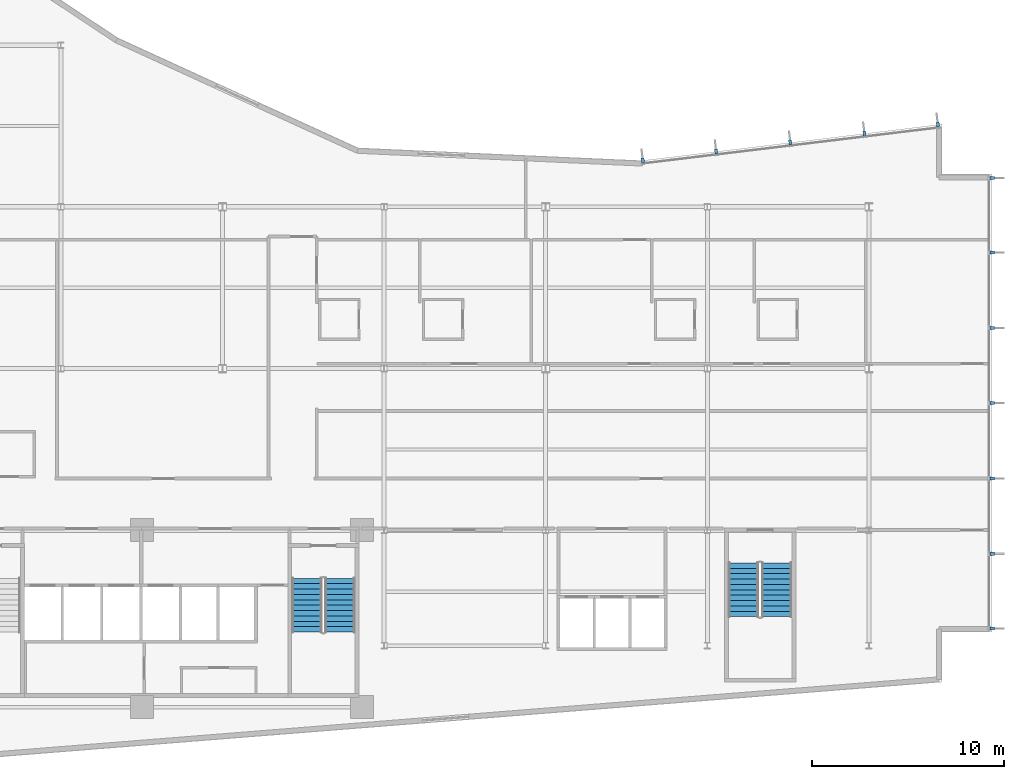
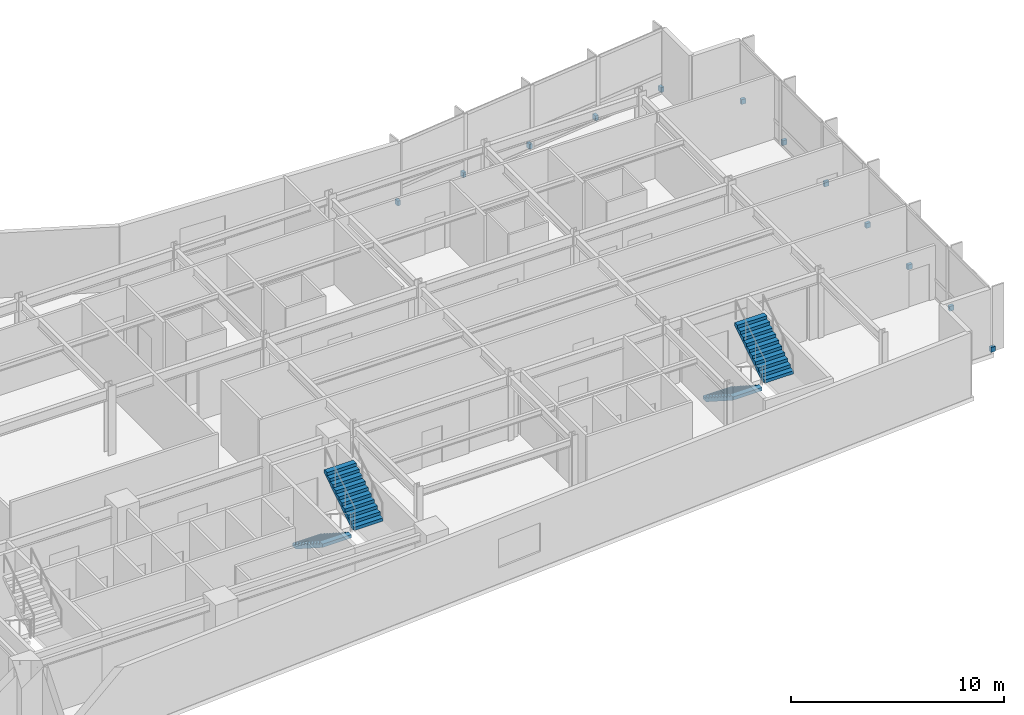
# One storey, part 13 of 17: 12 discrete accessories, 4 stair flights, 2 elements without a shape of their own.
"""IFC4 building model written with IfcOpenShell, lengths in metres."""

from ifc_helpers import new_model, si_unit, direction, frame, origin, origin_2d, place, context, subcontext, project, spatial, polyline, rectangle, outline, extrude, material, layer, layer_set, type_object, element, aggregate, save


model = new_model("IFC4")

# Units and contexts
model_context = context("Model", 3, precision=1e-05, world=origin(), true_north=direction((0.0, 1.0)))
body_context = subcontext(model_context, "Body", "Model", "MODEL_VIEW")
ifc_project = project(units=[si_unit("LENGTHUNIT", "METRE"), si_unit("AREAUNIT", "SQUARE_METRE"), si_unit("VOLUMEUNIT", "CUBIC_METRE"), si_unit("PLANEANGLEUNIT", "RADIAN"), si_unit("MASSUNIT", "GRAM", prefix="KILO")], contexts=[model_context])

# Site, building, storey
site_placement = place(None, origin())
site = spatial("IfcSite", under=ifc_project, at=site_placement, CompositionType="ELEMENT")
building_placement = place(site_placement, origin())
building = spatial("IfcBuilding", under=site, at=building_placement, Name="Varnakote Quay Hospital", CompositionType="ELEMENT")
storey_placement = place(building_placement, frame((0.0, 0.0, 146.800048828125)))
storey = spatial("IfcBuildingStorey", under=building, at=storey_placement, Name="L36", CompositionType="ELEMENT", Elevation=146.800048828125)

# Stair, stair flights
ifc_material_1 = material(Name="Concrete N40 (f'c 40 MPa)", Category="concrete")
stair_type = type_object("IfcStairType", Name="STR-CORE-1580", PredefinedType="HALF_TURN_STAIR", material=ifc_material_1)
stair_1_placement = place(storey_placement, origin())
stair_1 = element("IfcStair", 1, at=stair_1_placement, inside=storey, type_object=stair_type, Name="L36 Fire-Isolated Exit Stair ST-02", PredefinedType="HALF_TURN_STAIR")
ifc_material_2 = material(Name="Concrete N40 (f'c 40 MPa)", Category="concrete")
ifc_layer = layer(ifc_material_2, 0.159912109375)
ifc_layer_set = layer_set([ifc_layer], Name="Concrete N40 (f'c 40 MPa)")
stair_flight_type = type_object("IfcStairFlightType", Name="FLT-CORE-1580", PredefinedType="STRAIGHT", material=ifc_layer_set)
stair_flight_1_placement = place(storey_placement, frame((21.18994140625, 9.5, 0.0), z_axis=(0.0, 0.0, 1.0), x_axis=(0.0, -1.0, 0.0)))
stair_flight_1 = element("IfcStairFlight", 2, at=stair_flight_1_placement, type_object=stair_flight_type, Name="ST-02 flight 1", NumberOfRisers=11, NumberOfTreads=10, PredefinedType="STRAIGHT", RiserHeight=0.179545455, TreadLength=0.28, context=body_context, shape_type="SweptSolid", body=[
    extrude(outline(polyline([(0.0, 0.0), (0.0, 0.179443359375), (0.280029296875, 0.179443359375), (0.280029296875, 0.359130859375), (0.56005859375, 0.359130859375), (0.56005859375, 0.53857421875), (0.840087890625, 0.53857421875), (0.840087890625, 0.71826171875), (1.1201171875, 0.71826171875), (1.1201171875, 0.897705078125), (1.39990234375, 0.897705078125), (1.39990234375, 1.077392578125), (1.679931640625, 1.077392578125), (1.679931640625, 1.2568359375), (1.9599609375, 1.2568359375), (1.9599609375, 1.436279296875), (2.239990234375, 1.436279296875), (2.239990234375, 1.615966796875), (2.52001953125, 1.615966796875), (2.52001953125, 1.79541015625), (2.800048828125, 1.79541015625), (2.800048828125, 1.97509765625), (2.800048828125, 1.60546875), (0.296142578125, 0.0), (0.0, 0.0)])), frame((0.0, 0.7900390625, 0.0), z_axis=(0.0, -1.0, 0.0), x_axis=(1.0, 0.0, 0.0)), (0.0, 0.0, 1.0), 1.580078125),
])
stair_flight_2_placement = place(storey_placement, frame((22.909912109375, 6.699951171875, 1.974853515625), z_axis=(0.0, 0.0, 1.0), x_axis=(0.0, 1.0, 0.0)))
stair_flight_2 = element("IfcStairFlight", 3, at=stair_flight_2_placement, type_object=stair_flight_type, Name="ST-02 flight 2", NumberOfRisers=11, NumberOfTreads=10, PredefinedType="STRAIGHT", RiserHeight=0.179545455, TreadLength=0.28, context=body_context, shape_type="SweptSolid", body=[
    extrude(outline(polyline([(0.0, 0.0), (0.0, 0.179443359375), (0.280029296875, 0.179443359375), (0.280029296875, 0.359130859375), (0.56005859375, 0.359130859375), (0.56005859375, 0.53857421875), (0.840087890625, 0.53857421875), (0.840087890625, 0.71826171875), (1.1201171875, 0.71826171875), (1.1201171875, 0.897705078125), (1.39990234375, 0.897705078125), (1.39990234375, 1.077392578125), (1.679931640625, 1.077392578125), (1.679931640625, 1.2568359375), (1.9599609375, 1.2568359375), (1.9599609375, 1.436279296875), (2.239990234375, 1.436279296875), (2.239990234375, 1.615966796875), (2.52001953125, 1.615966796875), (2.52001953125, 1.79541015625), (2.800048828125, 1.79541015625), (2.800048828125, 1.97509765625), (2.800048828125, 1.60546875), (0.296142578125, 0.0), (0.0, 0.0)])), frame((0.0, 0.7900390625, 0.0), z_axis=(0.0, -1.0, 0.0), x_axis=(1.0, 0.0, 0.0)), (0.0, 0.0, 1.0), 1.580078125),
])
aggregate(stair_1, [stair_flight_1, stair_flight_2])

stair_2_placement = place(storey_placement, origin())
stair_2 = element("IfcStair", 4, at=stair_2_placement, inside=storey, type_object=stair_type, Name="L36 Fire-Isolated Exit Stair ST-03", PredefinedType="HALF_TURN_STAIR")
stair_flight_3_placement = place(storey_placement, frame((43.889892578125, 10.300048828125, 0.0), z_axis=(0.0, 0.0, 1.0), x_axis=(0.0, -1.0, 0.0)))
stair_flight_3 = element("IfcStairFlight", 5, at=stair_flight_3_placement, type_object=stair_flight_type, Name="ST-03 flight 1", NumberOfRisers=11, NumberOfTreads=10, PredefinedType="STRAIGHT", RiserHeight=0.179545455, TreadLength=0.28, context=body_context, shape_type="SweptSolid", body=[
    extrude(outline(polyline([(0.0, 0.0), (0.0, 0.179443359375), (0.280029296875, 0.179443359375), (0.280029296875, 0.359130859375), (0.56005859375, 0.359130859375), (0.56005859375, 0.53857421875), (0.840087890625, 0.53857421875), (0.840087890625, 0.71826171875), (1.1201171875, 0.71826171875), (1.1201171875, 0.897705078125), (1.39990234375, 0.897705078125), (1.39990234375, 1.077392578125), (1.679931640625, 1.077392578125), (1.679931640625, 1.2568359375), (1.9599609375, 1.2568359375), (1.9599609375, 1.436279296875), (2.239990234375, 1.436279296875), (2.239990234375, 1.615966796875), (2.52001953125, 1.615966796875), (2.52001953125, 1.79541015625), (2.800048828125, 1.79541015625), (2.800048828125, 1.97509765625), (2.800048828125, 1.60546875), (0.296142578125, 0.0), (0.0, 0.0)])), frame((0.0, 0.7900390625, 0.0), z_axis=(0.0, -1.0, 0.0), x_axis=(1.0, 0.0, 0.0)), (0.0, 0.0, 1.0), 1.580078125),
])
stair_flight_4_placement = place(storey_placement, frame((45.610107421875, 7.5, 1.974853515625), z_axis=(0.0, 0.0, 1.0), x_axis=(0.0, 1.0, 0.0)))
stair_flight_4 = element("IfcStairFlight", 6, at=stair_flight_4_placement, type_object=stair_flight_type, Name="ST-03 flight 2", NumberOfRisers=11, NumberOfTreads=10, PredefinedType="STRAIGHT", RiserHeight=0.179545455, TreadLength=0.28, context=body_context, shape_type="SweptSolid", body=[
    extrude(outline(polyline([(0.0, 0.0), (0.0, 0.179443359375), (0.280029296875, 0.179443359375), (0.280029296875, 0.359130859375), (0.56005859375, 0.359130859375), (0.56005859375, 0.53857421875), (0.840087890625, 0.53857421875), (0.840087890625, 0.71826171875), (1.1201171875, 0.71826171875), (1.1201171875, 0.897705078125), (1.39990234375, 0.897705078125), (1.39990234375, 1.077392578125), (1.679931640625, 1.077392578125), (1.679931640625, 1.2568359375), (1.9599609375, 1.2568359375), (1.9599609375, 1.436279296875), (2.239990234375, 1.436279296875), (2.239990234375, 1.615966796875), (2.52001953125, 1.615966796875), (2.52001953125, 1.79541015625), (2.800048828125, 1.79541015625), (2.800048828125, 1.97509765625), (2.800048828125, 1.60546875), (0.296142578125, 0.0), (0.0, 0.0)])), frame((0.0, 0.7900390625, 0.0), z_axis=(0.0, -1.0, 0.0), x_axis=(1.0, 0.0, 0.0)), (0.0, 0.0, 1.0), 1.580078125),
])
aggregate(stair_2, [stair_flight_3, stair_flight_4])

# Discrete accessories
ifc_material_3 = material(Name="Anodised aluminium 6063-T6 Bronze", Category="aluminium")
discrete_accessory_type = type_object("IfcDiscreteAccessoryType", Name="ACC-FIN-BRACKET-180", PredefinedType="BRACKET", material=ifc_material_3)
for number, where, z_axis, x_axis, name in (
    (7, (56.81005859375, 6.8974609375, 0.0), (0.0, 0.0, 1.0), (0.0, 1.0, 0.0), "L36 Curtain Wall Fin Fixing Bracket"),
    (8, (56.81005859375, 10.773193359375, 0.0), (0.0, 0.0, 1.0), (0.0, 1.0, 0.0), "L36 Curtain Wall Fin Fixing Bracket"),
    (9, (56.81005859375, 14.686767578125, 0.0), (0.0, 0.0, 1.0), (0.0, 1.0, 0.0), "L36 Curtain Wall Fin Fixing Bracket"),
    (10, (56.81005859375, 18.60009765625, 0.0), (0.0, 0.0, 1.0), (0.0, 1.0, 0.0), "L36 Curtain Wall Fin Fixing Bracket"),
    (11, (56.81005859375, 22.51318359375, 0.0), (0.0, 0.0, 1.0), (0.0, 1.0, 0.0), "L36 Curtain Wall Fin Fixing Bracket"),
    (12, (56.81005859375, 26.4267578125, 0.0), (0.0, 0.0, 1.0), (0.0, 1.0, 0.0), "L36 Curtain Wall Fin Fixing Bracket"),
    (13, (56.81005859375, 30.302490234375, 0.0), (0.0, 0.0, 1.0), (0.0, 1.0, 0.0), "L36 Curtain Wall Fin Fixing Bracket"),
    (14, (53.982421875, 33.083740234375, 0.0), (0.0, 0.0, 1.0), (-0.992736358975, -0.120310105847, 0.0), "L36 Curtain Wall Fin Fixing Bracket"),
    (15, (50.1669921875, 32.62109375, 0.0), (0.0, 0.0, 1.0), (-0.992736358975, -0.120310105847, 0.0), "L36 Curtain Wall Fin Fixing Bracket"),
    (16, (46.314697265625, 32.154296875, 0.0), (0.0, 0.0, 1.0), (-0.992736358975, -0.120310105847, 0.0), "L36 Curtain Wall Fin Fixing Bracket"),
    (17, (42.462158203125, 31.687255859375, 0.0), (0.0, 0.0, 1.0), (-0.992736358975, -0.120310105847, 0.0), "L36 Curtain Wall Fin Fixing Bracket"),
    (18, (38.64697265625, 31.224853515625, 0.0), (0.0, 0.0, 1.0), (-0.992736358975, -0.120310105847, 0.0), "L36 Curtain Wall Fin Fixing Bracket"),
):
    element("IfcDiscreteAccessory", number, at=place(storey_placement, frame(where, z_axis=z_axis, x_axis=x_axis)), inside=storey, type_object=discrete_accessory_type, Name=name, PredefinedType="BRACKET", context=body_context, shape_type="SweptSolid", body=[
        extrude(rectangle(XDim=0.159912109375, YDim=0.239990234375, at=origin_2d()), origin(), (0.0, 0.0, 1.0), 0.280029296875),
    ])

save(model, "model.ifc")
